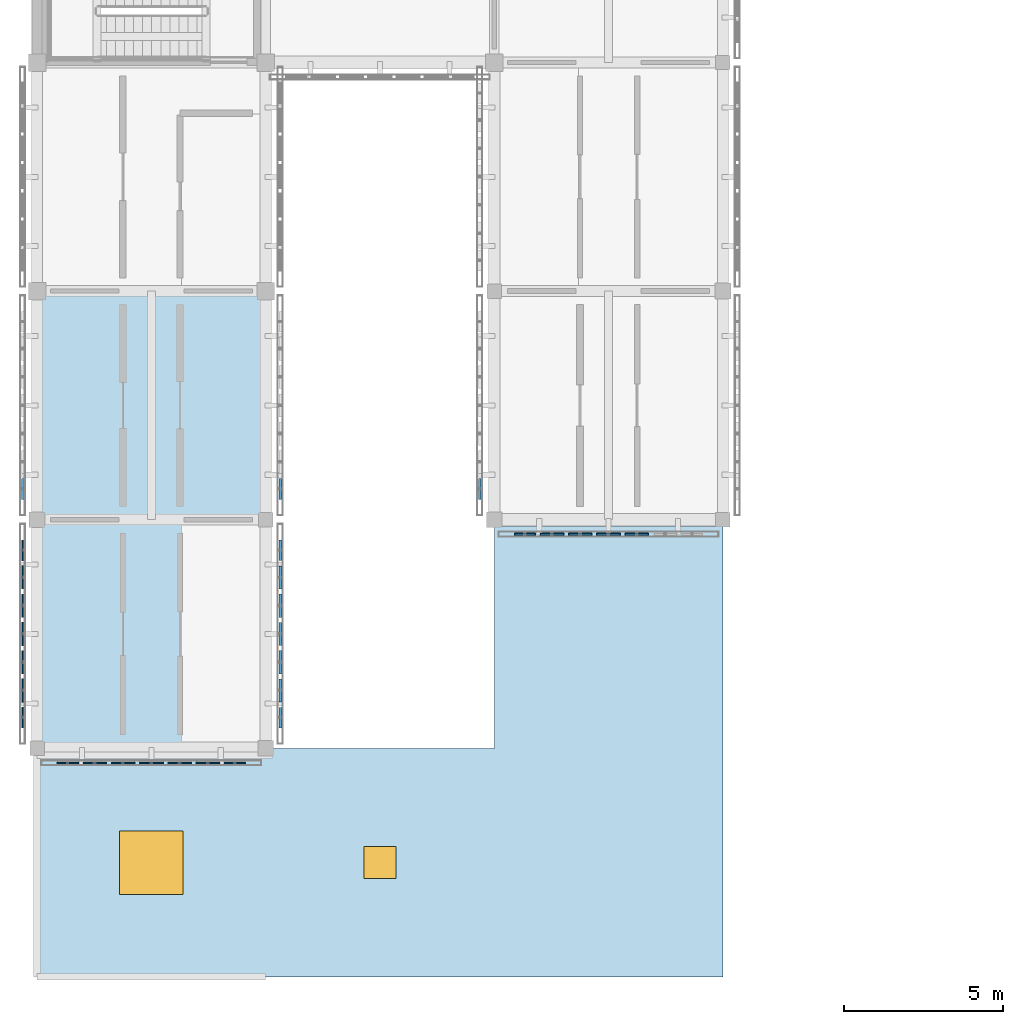
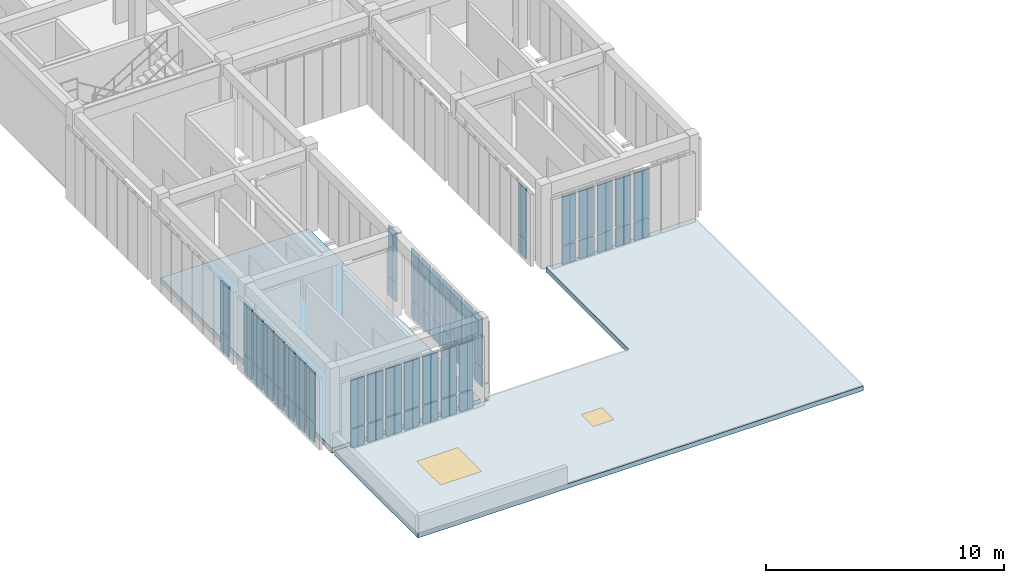
# One storey, part 43 of 91: 58 plates, 2 slabs, 1 door, 1 window, 2 openings, 7 elements without a shape of their own.
"""IFC4 building model written with IfcOpenShell, lengths in metres."""

from ifc_helpers import new_model, si_unit, direction, frame, origin, origin_2d, place, context, subcontext, project, spatial, polyline, rectangle, outline, extrude, material, layer, layer_set, type_object, element, fill, aggregate, save


model = new_model("IFC4")

# Units and contexts
model_context = context("Model", 3, precision=1e-05, world=origin(), true_north=direction((0.0, 1.0)))
body_context = subcontext(model_context, "Body", "Model", "MODEL_VIEW")
ifc_project = project(units=[si_unit("LENGTHUNIT", "METRE"), si_unit("AREAUNIT", "SQUARE_METRE"), si_unit("VOLUMEUNIT", "CUBIC_METRE"), si_unit("PLANEANGLEUNIT", "RADIAN"), si_unit("MASSUNIT", "GRAM", prefix="KILO")], contexts=[model_context])

# Site, building, storey
site_placement = place(None, origin())
site = spatial("IfcSite", under=ifc_project, at=site_placement, CompositionType="ELEMENT")
building_placement = place(site_placement, origin())
building = spatial("IfcBuilding", under=site, at=building_placement, Name="Aldebral Square Health Centre", CompositionType="ELEMENT")
storey_placement = place(building_placement, frame((0.0, 0.0, 9.0)))
storey = spatial("IfcBuildingStorey", under=building, at=storey_placement, Name="L02", CompositionType="ELEMENT", Elevation=9.0)

# Curtain wall, plates
ifc_material_1 = material(Name="Aluminium and low-E solar glass", Category="aluminium")
curtain_wall_type = type_object("IfcCurtainWallType", Name="CW-FIN-SYS", PredefinedType="USERDEFINED", material=ifc_material_1)
curtain_wall_1_placement = place(storey_placement, origin())
curtain_wall_1 = element("IfcCurtainWall", 1, at=curtain_wall_1_placement, inside=storey, type_object=curtain_wall_type, Name="L02 V6 finned curtain wall L02-V6-00-01-S", ObjectType="SOLAR_CURTAIN_WALL", PredefinedType="USERDEFINED")
ifc_material_2 = material(Name="Solar-control low-E double glass", Category="glass")
ifc_layer_1 = layer(ifc_material_2, 0.050048828125, Name="Solar-control low-E double glass", Category="glass")
ifc_layer_set_1 = layer_set([ifc_layer_1], Name="Solar-control low-E double glass")
plate_type_1 = type_object("IfcPlateType", Name="CWP-GLZ-4", PredefinedType="CURTAIN_PANEL", material=ifc_layer_set_1)
plate_1_placement = place(storey_placement, frame((0.9658203125, 6.739990234375, 0.074951171875), z_axis=(0.0, 0.0, 1.0), x_axis=(1.0, 0.0, 0.0)))
plate_1 = element("IfcPlate", 2, at=plate_1_placement, type_object=plate_type_1, Name="CW1 panel 1.1", PredefinedType="CURTAIN_PANEL", context=body_context, shape_type="SweptSolid", body=[
    extrude(rectangle(XDim=0.6513671875, YDim=0.050048828125, at=origin_2d()), origin(), (0.0, 0.0, 1.0), 0.9375),
])
plate_2_placement = place(storey_placement, frame((0.9658203125, 6.739990234375, 1.08740234375), z_axis=(0.0, 0.0, 1.0), x_axis=(1.0, 0.0, 0.0)))
plate_2 = element("IfcPlate", 3, at=plate_2_placement, type_object=plate_type_1, Name="CW1 panel 1.2", PredefinedType="CURTAIN_PANEL", context=body_context, shape_type="SweptSolid", body=[
    extrude(rectangle(XDim=0.6513671875, YDim=0.050048828125, at=origin_2d()), origin(), (0.0, 0.0, 1.0), 2.427490234375),
])
plate_3_placement = place(storey_placement, frame((1.817138671875, 6.739990234375, 0.074951171875), z_axis=(0.0, 0.0, 1.0), x_axis=(1.0, 0.0, 0.0)))
plate_3 = element("IfcPlate", 4, at=plate_3_placement, type_object=plate_type_1, Name="CW1 panel 2.1", PredefinedType="CURTAIN_PANEL", context=body_context, shape_type="SweptSolid", body=[
    extrude(rectangle(XDim=0.7314453125, YDim=0.050048828125, at=origin_2d()), origin(), (0.0, 0.0, 1.0), 0.9375),
])
plate_4_placement = place(storey_placement, frame((1.817138671875, 6.739990234375, 1.08740234375), z_axis=(0.0, 0.0, 1.0), x_axis=(1.0, 0.0, 0.0)))
plate_4 = element("IfcPlate", 5, at=plate_4_placement, type_object=plate_type_1, Name="CW1 panel 2.2", PredefinedType="CURTAIN_PANEL", context=body_context, shape_type="SweptSolid", body=[
    extrude(rectangle(XDim=0.7314453125, YDim=0.050048828125, at=origin_2d()), origin(), (0.0, 0.0, 1.0), 2.427490234375),
])
plate_5_placement = place(storey_placement, frame((2.70849609375, 6.739990234375, 0.074951171875), z_axis=(0.0, 0.0, 1.0), x_axis=(1.0, 0.0, 0.0)))
plate_5 = element("IfcPlate", 6, at=plate_5_placement, type_object=plate_type_1, Name="CW1 panel 3.1", PredefinedType="CURTAIN_PANEL", context=body_context, shape_type="SweptSolid", body=[
    extrude(rectangle(XDim=0.7314453125, YDim=0.050048828125, at=origin_2d()), origin(), (0.0, 0.0, 1.0), 0.9375),
])
plate_6_placement = place(storey_placement, frame((2.70849609375, 6.739990234375, 1.08740234375), z_axis=(0.0, 0.0, 1.0), x_axis=(1.0, 0.0, 0.0)))
plate_6 = element("IfcPlate", 7, at=plate_6_placement, type_object=plate_type_1, Name="CW1 panel 3.2", PredefinedType="CURTAIN_PANEL", context=body_context, shape_type="SweptSolid", body=[
    extrude(rectangle(XDim=0.7314453125, YDim=0.050048828125, at=origin_2d()), origin(), (0.0, 0.0, 1.0), 2.427490234375),
])
plate_7_placement = place(storey_placement, frame((3.60009765625, 6.739990234375, 0.074951171875), z_axis=(0.0, 0.0, 1.0), x_axis=(1.0, 0.0, 0.0)))
plate_7 = element("IfcPlate", 8, at=plate_7_placement, type_object=plate_type_1, Name="CW1 panel 4.1", PredefinedType="CURTAIN_PANEL", context=body_context, shape_type="SweptSolid", body=[
    extrude(rectangle(XDim=0.7314453125, YDim=0.050048828125, at=origin_2d()), origin(), (0.0, 0.0, 1.0), 0.9375),
])
plate_8_placement = place(storey_placement, frame((3.60009765625, 6.739990234375, 1.08740234375), z_axis=(0.0, 0.0, 1.0), x_axis=(1.0, 0.0, 0.0)))
plate_8 = element("IfcPlate", 9, at=plate_8_placement, type_object=plate_type_1, Name="CW1 panel 4.2", PredefinedType="CURTAIN_PANEL", context=body_context, shape_type="SweptSolid", body=[
    extrude(rectangle(XDim=0.7314453125, YDim=0.050048828125, at=origin_2d()), origin(), (0.0, 0.0, 1.0), 2.427490234375),
])
plate_9_placement = place(storey_placement, frame((4.491455078125, 6.739990234375, 0.074951171875), z_axis=(0.0, 0.0, 1.0), x_axis=(1.0, 0.0, 0.0)))
plate_9 = element("IfcPlate", 10, at=plate_9_placement, type_object=plate_type_1, Name="CW1 panel 5.1", PredefinedType="CURTAIN_PANEL", context=body_context, shape_type="SweptSolid", body=[
    extrude(rectangle(XDim=0.7314453125, YDim=0.050048828125, at=origin_2d()), origin(), (0.0, 0.0, 1.0), 0.9375),
])
plate_10_placement = place(storey_placement, frame((4.491455078125, 6.739990234375, 1.08740234375), z_axis=(0.0, 0.0, 1.0), x_axis=(1.0, 0.0, 0.0)))
plate_10 = element("IfcPlate", 11, at=plate_10_placement, type_object=plate_type_1, Name="CW1 panel 5.2", PredefinedType="CURTAIN_PANEL", context=body_context, shape_type="SweptSolid", body=[
    extrude(rectangle(XDim=0.7314453125, YDim=0.050048828125, at=origin_2d()), origin(), (0.0, 0.0, 1.0), 2.427490234375),
])
plate_11_placement = place(storey_placement, frame((5.3828125, 6.739990234375, 0.074951171875), z_axis=(0.0, 0.0, 1.0), x_axis=(1.0, 0.0, 0.0)))
plate_11 = element("IfcPlate", 12, at=plate_11_placement, type_object=plate_type_1, Name="CW1 panel 6.1", PredefinedType="CURTAIN_PANEL", context=body_context, shape_type="SweptSolid", body=[
    extrude(rectangle(XDim=0.7314453125, YDim=0.050048828125, at=origin_2d()), origin(), (0.0, 0.0, 1.0), 0.9375),
])
plate_12_placement = place(storey_placement, frame((5.3828125, 6.739990234375, 1.08740234375), z_axis=(0.0, 0.0, 1.0), x_axis=(1.0, 0.0, 0.0)))
plate_12 = element("IfcPlate", 13, at=plate_12_placement, type_object=plate_type_1, Name="CW1 panel 6.2", PredefinedType="CURTAIN_PANEL", context=body_context, shape_type="SweptSolid", body=[
    extrude(rectangle(XDim=0.7314453125, YDim=0.050048828125, at=origin_2d()), origin(), (0.0, 0.0, 1.0), 2.427490234375),
])
plate_13_placement = place(storey_placement, frame((6.234375, 6.739990234375, 0.074951171875), z_axis=(0.0, 0.0, 1.0), x_axis=(1.0, 0.0, 0.0)))
plate_13 = element("IfcPlate", 14, at=plate_13_placement, type_object=plate_type_1, Name="CW1 panel 7.1", PredefinedType="CURTAIN_PANEL", context=body_context, shape_type="SweptSolid", body=[
    extrude(rectangle(XDim=0.6513671875, YDim=0.050048828125, at=origin_2d()), origin(), (0.0, 0.0, 1.0), 0.9375),
])
plate_14_placement = place(storey_placement, frame((6.234375, 6.739990234375, 1.08740234375), z_axis=(0.0, 0.0, 1.0), x_axis=(1.0, 0.0, 0.0)))
plate_14 = element("IfcPlate", 15, at=plate_14_placement, type_object=plate_type_1, Name="CW1 panel 7.2", PredefinedType="CURTAIN_PANEL", context=body_context, shape_type="SweptSolid", body=[
    extrude(rectangle(XDim=0.6513671875, YDim=0.050048828125, at=origin_2d()), origin(), (0.0, 0.0, 1.0), 2.427490234375),
])
aggregate(curtain_wall_1, [plate_1, plate_2, plate_3, plate_4, plate_5, plate_6, plate_7, plate_8, plate_9, plate_10, plate_11, plate_12, plate_13, plate_14])

curtain_wall_2_placement = place(storey_placement, origin())
curtain_wall_2 = element("IfcCurtainWall", 16, at=curtain_wall_2_placement, inside=storey, type_object=curtain_wall_type, Name="L02 V6 finned curtain wall L02-V6-00-01-W", ObjectType="SOLAR_CURTAIN_WALL", PredefinedType="USERDEFINED")
ifc_layer_2 = layer(ifc_material_2, 0.06005859375, Name="Solar-control low-E double glass", Category="glass")
ifc_layer_set_2 = layer_set([ifc_layer_2], Name="Solar-control low-E double glass")
plate_type_2 = type_object("IfcPlateType", Name="CWP-GLZ-5", PredefinedType="CURTAIN_PANEL", material=ifc_layer_set_2)
plate_15_placement = place(storey_placement, frame((-0.4599609375, 13.434326171875, 0.074951171875), z_axis=(0.0, 0.0, 1.0), x_axis=(0.0, -1.0, 0.0)))
plate_15 = element("IfcPlate", 17, at=plate_15_placement, type_object=plate_type_2, Name="CW1 panel 1.1", PredefinedType="CURTAIN_PANEL", context=body_context, shape_type="SweptSolid", body=[
    extrude(rectangle(XDim=0.6513671875, YDim=0.06005859375, at=origin_2d()), origin(), (0.0, 0.0, 1.0), 0.9375),
])
plate_16_placement = place(storey_placement, frame((-0.4599609375, 13.434326171875, 1.08740234375), z_axis=(0.0, 0.0, 1.0), x_axis=(0.0, -1.0, 0.0)))
plate_16 = element("IfcPlate", 18, at=plate_16_placement, type_object=plate_type_2, Name="CW1 panel 1.2", PredefinedType="CURTAIN_PANEL", context=body_context, shape_type="SweptSolid", body=[
    extrude(rectangle(XDim=0.6513671875, YDim=0.06005859375, at=origin_2d()), origin(), (0.0, 0.0, 1.0), 2.527587890625),
])
plate_17_placement = place(storey_placement, frame((-0.4599609375, 12.582763671875, 0.074951171875), z_axis=(0.0, 0.0, 1.0), x_axis=(0.0, -1.0, 0.0)))
plate_17 = element("IfcPlate", 19, at=plate_17_placement, type_object=plate_type_2, Name="CW1 panel 2.1", PredefinedType="CURTAIN_PANEL", context=body_context, shape_type="SweptSolid", body=[
    extrude(rectangle(XDim=0.7314453125, YDim=0.06005859375, at=origin_2d()), origin(), (0.0, 0.0, 1.0), 0.9375),
])
plate_18_placement = place(storey_placement, frame((-0.4599609375, 12.582763671875, 1.08740234375), z_axis=(0.0, 0.0, 1.0), x_axis=(0.0, -1.0, 0.0)))
plate_18 = element("IfcPlate", 20, at=plate_18_placement, type_object=plate_type_2, Name="CW1 panel 2.2", PredefinedType="CURTAIN_PANEL", context=body_context, shape_type="SweptSolid", body=[
    extrude(rectangle(XDim=0.7314453125, YDim=0.06005859375, at=origin_2d()), origin(), (0.0, 0.0, 1.0), 2.527587890625),
])
plate_19_placement = place(storey_placement, frame((-0.4599609375, 11.69140625, 0.074951171875), z_axis=(0.0, 0.0, 1.0), x_axis=(0.0, -1.0, 0.0)))
plate_19 = element("IfcPlate", 21, at=plate_19_placement, type_object=plate_type_2, Name="CW1 panel 3.1", PredefinedType="CURTAIN_PANEL", context=body_context, shape_type="SweptSolid", body=[
    extrude(rectangle(XDim=0.7314453125, YDim=0.06005859375, at=origin_2d()), origin(), (0.0, 0.0, 1.0), 0.9375),
])
plate_20_placement = place(storey_placement, frame((-0.4599609375, 11.69140625, 1.08740234375), z_axis=(0.0, 0.0, 1.0), x_axis=(0.0, -1.0, 0.0)))
plate_20 = element("IfcPlate", 22, at=plate_20_placement, type_object=plate_type_2, Name="CW1 panel 3.2", PredefinedType="CURTAIN_PANEL", context=body_context, shape_type="SweptSolid", body=[
    extrude(rectangle(XDim=0.7314453125, YDim=0.06005859375, at=origin_2d()), origin(), (0.0, 0.0, 1.0), 2.527587890625),
])
plate_21_placement = place(storey_placement, frame((-0.4599609375, 10.800048828125, 0.074951171875), z_axis=(0.0, 0.0, 1.0), x_axis=(0.0, -1.0, 0.0)))
plate_21 = element("IfcPlate", 23, at=plate_21_placement, type_object=plate_type_2, Name="CW1 panel 4.1", PredefinedType="CURTAIN_PANEL", context=body_context, shape_type="SweptSolid", body=[
    extrude(rectangle(XDim=0.7314453125, YDim=0.06005859375, at=origin_2d()), origin(), (0.0, 0.0, 1.0), 0.9375),
])
plate_22_placement = place(storey_placement, frame((-0.4599609375, 10.800048828125, 1.08740234375), z_axis=(0.0, 0.0, 1.0), x_axis=(0.0, -1.0, 0.0)))
plate_22 = element("IfcPlate", 24, at=plate_22_placement, type_object=plate_type_2, Name="CW1 panel 4.2", PredefinedType="CURTAIN_PANEL", context=body_context, shape_type="SweptSolid", body=[
    extrude(rectangle(XDim=0.7314453125, YDim=0.06005859375, at=origin_2d()), origin(), (0.0, 0.0, 1.0), 2.527587890625),
])
plate_23_placement = place(storey_placement, frame((-0.4599609375, 9.90869140625, 0.074951171875), z_axis=(0.0, 0.0, 1.0), x_axis=(0.0, -1.0, 0.0)))
plate_23 = element("IfcPlate", 25, at=plate_23_placement, type_object=plate_type_2, Name="CW1 panel 5.1", PredefinedType="CURTAIN_PANEL", context=body_context, shape_type="SweptSolid", body=[
    extrude(rectangle(XDim=0.7314453125, YDim=0.06005859375, at=origin_2d()), origin(), (0.0, 0.0, 1.0), 0.9375),
])
plate_24_placement = place(storey_placement, frame((-0.4599609375, 9.90869140625, 1.08740234375), z_axis=(0.0, 0.0, 1.0), x_axis=(0.0, -1.0, 0.0)))
plate_24 = element("IfcPlate", 26, at=plate_24_placement, type_object=plate_type_2, Name="CW1 panel 5.2", PredefinedType="CURTAIN_PANEL", context=body_context, shape_type="SweptSolid", body=[
    extrude(rectangle(XDim=0.7314453125, YDim=0.06005859375, at=origin_2d()), origin(), (0.0, 0.0, 1.0), 2.527587890625),
])
plate_25_placement = place(storey_placement, frame((-0.4599609375, 9.01708984375, 0.074951171875), z_axis=(0.0, 0.0, 1.0), x_axis=(0.0, -1.0, 0.0)))
plate_25 = element("IfcPlate", 27, at=plate_25_placement, type_object=plate_type_2, Name="CW1 panel 6.1", PredefinedType="CURTAIN_PANEL", context=body_context, shape_type="SweptSolid", body=[
    extrude(rectangle(XDim=0.7314453125, YDim=0.06005859375, at=origin_2d()), origin(), (0.0, 0.0, 1.0), 0.9375),
])
plate_26_placement = place(storey_placement, frame((-0.4599609375, 9.01708984375, 1.08740234375), z_axis=(0.0, 0.0, 1.0), x_axis=(0.0, -1.0, 0.0)))
plate_26 = element("IfcPlate", 28, at=plate_26_placement, type_object=plate_type_2, Name="CW1 panel 6.2", PredefinedType="CURTAIN_PANEL", context=body_context, shape_type="SweptSolid", body=[
    extrude(rectangle(XDim=0.7314453125, YDim=0.06005859375, at=origin_2d()), origin(), (0.0, 0.0, 1.0), 2.527587890625),
])
plate_27_placement = place(storey_placement, frame((-0.4599609375, 8.165771484375, 0.074951171875), z_axis=(0.0, 0.0, 1.0), x_axis=(0.0, -1.0, 0.0)))
plate_27 = element("IfcPlate", 29, at=plate_27_placement, type_object=plate_type_2, Name="CW1 panel 7.1", PredefinedType="CURTAIN_PANEL", context=body_context, shape_type="SweptSolid", body=[
    extrude(rectangle(XDim=0.6513671875, YDim=0.06005859375, at=origin_2d()), origin(), (0.0, 0.0, 1.0), 0.9375),
])
plate_28_placement = place(storey_placement, frame((-0.4599609375, 8.165771484375, 1.08740234375), z_axis=(0.0, 0.0, 1.0), x_axis=(0.0, -1.0, 0.0)))
plate_28 = element("IfcPlate", 30, at=plate_28_placement, type_object=plate_type_2, Name="CW1 panel 7.2", PredefinedType="CURTAIN_PANEL", context=body_context, shape_type="SweptSolid", body=[
    extrude(rectangle(XDim=0.6513671875, YDim=0.06005859375, at=origin_2d()), origin(), (0.0, 0.0, 1.0), 2.527587890625),
])
aggregate(curtain_wall_2, [plate_15, plate_16, plate_17, plate_18, plate_19, plate_20, plate_21, plate_22, plate_23, plate_24, plate_25, plate_26, plate_27, plate_28])

curtain_wall_3_placement = place(storey_placement, origin())
curtain_wall_3 = element("IfcCurtainWall", 31, at=curtain_wall_3_placement, inside=storey, type_object=curtain_wall_type, Name="L02 V6 finned curtain wall L02-V6-02-02-S", ObjectType="SOLAR_CURTAIN_WALL", PredefinedType="USERDEFINED")
plate_29_placement = place(storey_placement, frame((15.36572265625, 13.93994140625, 0.074951171875), z_axis=(0.0, 0.0, 1.0), x_axis=(1.0, 0.0, 0.0)))
plate_29 = element("IfcPlate", 32, at=plate_29_placement, type_object=plate_type_2, Name="CW1 panel 1.1", PredefinedType="CURTAIN_PANEL", context=body_context, shape_type="SweptSolid", body=[
    extrude(rectangle(XDim=0.6513671875, YDim=0.06005859375, at=origin_2d()), origin(), (0.0, 0.0, 1.0), 0.9375),
])
plate_30_placement = place(storey_placement, frame((15.36572265625, 13.93994140625, 1.08740234375), z_axis=(0.0, 0.0, 1.0), x_axis=(1.0, 0.0, 0.0)))
plate_30 = element("IfcPlate", 33, at=plate_30_placement, type_object=plate_type_2, Name="CW1 panel 1.2", PredefinedType="CURTAIN_PANEL", context=body_context, shape_type="SweptSolid", body=[
    extrude(rectangle(XDim=0.6513671875, YDim=0.06005859375, at=origin_2d()), origin(), (0.0, 0.0, 1.0), 2.427490234375),
])
plate_31_placement = place(storey_placement, frame((16.217041015625, 13.93994140625, 0.074951171875), z_axis=(0.0, 0.0, 1.0), x_axis=(1.0, 0.0, 0.0)))
plate_31 = element("IfcPlate", 34, at=plate_31_placement, type_object=plate_type_2, Name="CW1 panel 2.1", PredefinedType="CURTAIN_PANEL", context=body_context, shape_type="SweptSolid", body=[
    extrude(rectangle(XDim=0.7314453125, YDim=0.06005859375, at=origin_2d()), origin(), (0.0, 0.0, 1.0), 0.9375),
])
plate_32_placement = place(storey_placement, frame((16.217041015625, 13.93994140625, 1.08740234375), z_axis=(0.0, 0.0, 1.0), x_axis=(1.0, 0.0, 0.0)))
plate_32 = element("IfcPlate", 35, at=plate_32_placement, type_object=plate_type_2, Name="CW1 panel 2.2", PredefinedType="CURTAIN_PANEL", context=body_context, shape_type="SweptSolid", body=[
    extrude(rectangle(XDim=0.7314453125, YDim=0.06005859375, at=origin_2d()), origin(), (0.0, 0.0, 1.0), 2.427490234375),
])
plate_33_placement = place(storey_placement, frame((17.108642578125, 13.93994140625, 0.074951171875), z_axis=(0.0, 0.0, 1.0), x_axis=(1.0, 0.0, 0.0)))
plate_33 = element("IfcPlate", 36, at=plate_33_placement, type_object=plate_type_2, Name="CW1 panel 3.1", PredefinedType="CURTAIN_PANEL", context=body_context, shape_type="SweptSolid", body=[
    extrude(rectangle(XDim=0.7314453125, YDim=0.06005859375, at=origin_2d()), origin(), (0.0, 0.0, 1.0), 0.9375),
])
plate_34_placement = place(storey_placement, frame((17.108642578125, 13.93994140625, 1.08740234375), z_axis=(0.0, 0.0, 1.0), x_axis=(1.0, 0.0, 0.0)))
plate_34 = element("IfcPlate", 37, at=plate_34_placement, type_object=plate_type_2, Name="CW1 panel 3.2", PredefinedType="CURTAIN_PANEL", context=body_context, shape_type="SweptSolid", body=[
    extrude(rectangle(XDim=0.7314453125, YDim=0.06005859375, at=origin_2d()), origin(), (0.0, 0.0, 1.0), 2.427490234375),
])
plate_35_placement = place(storey_placement, frame((18.0, 13.93994140625, 0.074951171875), z_axis=(0.0, 0.0, 1.0), x_axis=(1.0, 0.0, 0.0)))
plate_35 = element("IfcPlate", 38, at=plate_35_placement, type_object=plate_type_2, Name="CW1 panel 4.1", PredefinedType="CURTAIN_PANEL", context=body_context, shape_type="SweptSolid", body=[
    extrude(rectangle(XDim=0.7314453125, YDim=0.06005859375, at=origin_2d()), origin(), (0.0, 0.0, 1.0), 0.9375),
])
plate_36_placement = place(storey_placement, frame((18.0, 13.93994140625, 1.08740234375), z_axis=(0.0, 0.0, 1.0), x_axis=(1.0, 0.0, 0.0)))
plate_36 = element("IfcPlate", 39, at=plate_36_placement, type_object=plate_type_2, Name="CW1 panel 4.2", PredefinedType="CURTAIN_PANEL", context=body_context, shape_type="SweptSolid", body=[
    extrude(rectangle(XDim=0.7314453125, YDim=0.06005859375, at=origin_2d()), origin(), (0.0, 0.0, 1.0), 2.427490234375),
])
plate_37_placement = place(storey_placement, frame((18.891357421875, 13.93994140625, 0.074951171875), z_axis=(0.0, 0.0, 1.0), x_axis=(1.0, 0.0, 0.0)))
plate_37 = element("IfcPlate", 40, at=plate_37_placement, type_object=plate_type_2, Name="CW1 panel 5.1", PredefinedType="CURTAIN_PANEL", context=body_context, shape_type="SweptSolid", body=[
    extrude(rectangle(XDim=0.7314453125, YDim=0.06005859375, at=origin_2d()), origin(), (0.0, 0.0, 1.0), 0.9375),
])
plate_38_placement = place(storey_placement, frame((18.891357421875, 13.93994140625, 1.08740234375), z_axis=(0.0, 0.0, 1.0), x_axis=(1.0, 0.0, 0.0)))
plate_38 = element("IfcPlate", 41, at=plate_38_placement, type_object=plate_type_2, Name="CW1 panel 5.2", PredefinedType="CURTAIN_PANEL", context=body_context, shape_type="SweptSolid", body=[
    extrude(rectangle(XDim=0.7314453125, YDim=0.06005859375, at=origin_2d()), origin(), (0.0, 0.0, 1.0), 2.427490234375),
])
aggregate(curtain_wall_3, [plate_29, plate_30, plate_31, plate_32, plate_33, plate_34, plate_35, plate_36, plate_37, plate_38])

curtain_wall_4_placement = place(storey_placement, origin())
curtain_wall_4 = element("IfcCurtainWall", 42, at=curtain_wall_4_placement, inside=storey, type_object=curtain_wall_type, Name="L02 V6 finned curtain wall L02-V6-00-01-E", ObjectType="SOLAR_CURTAIN_WALL", PredefinedType="USERDEFINED")
ifc_layer_3 = layer(ifc_material_2, 0.070068359375, Name="Solar-control low-E double glass", Category="glass")
ifc_layer_set_3 = layer_set([ifc_layer_3], Name="Solar-control low-E double glass")
plate_type_3 = type_object("IfcPlateType", Name="CWP-GLZ-6", PredefinedType="CURTAIN_PANEL", material=ifc_layer_set_3)
plate_39_placement = place(storey_placement, frame((7.659912109375, 8.165771484375, 0.074951171875), z_axis=(0.0, 0.0, 1.0), x_axis=(0.0, 1.0, 0.0)))
plate_39 = element("IfcPlate", 43, at=plate_39_placement, type_object=plate_type_3, Name="CW1 panel 1.1", PredefinedType="CURTAIN_PANEL", context=body_context, shape_type="SweptSolid", body=[
    extrude(rectangle(XDim=0.6513671875, YDim=0.070068359375, at=origin_2d()), origin(), (0.0, 0.0, 1.0), 0.9375),
])
plate_40_placement = place(storey_placement, frame((7.659912109375, 8.165771484375, 1.08740234375), z_axis=(0.0, 0.0, 1.0), x_axis=(0.0, 1.0, 0.0)))
plate_40 = element("IfcPlate", 44, at=plate_40_placement, type_object=plate_type_3, Name="CW1 panel 1.2", PredefinedType="CURTAIN_PANEL", context=body_context, shape_type="SweptSolid", body=[
    extrude(rectangle(XDim=0.6513671875, YDim=0.070068359375, at=origin_2d()), origin(), (0.0, 0.0, 1.0), 2.527587890625),
])
plate_41_placement = place(storey_placement, frame((7.659912109375, 9.01708984375, 0.074951171875), z_axis=(0.0, 0.0, 1.0), x_axis=(0.0, 1.0, 0.0)))
plate_41 = element("IfcPlate", 45, at=plate_41_placement, type_object=plate_type_3, Name="CW1 panel 2.1", PredefinedType="CURTAIN_PANEL", context=body_context, shape_type="SweptSolid", body=[
    extrude(rectangle(XDim=0.7314453125, YDim=0.070068359375, at=origin_2d()), origin(), (0.0, 0.0, 1.0), 0.9375),
])
plate_42_placement = place(storey_placement, frame((7.659912109375, 9.01708984375, 1.08740234375), z_axis=(0.0, 0.0, 1.0), x_axis=(0.0, 1.0, 0.0)))
plate_42 = element("IfcPlate", 46, at=plate_42_placement, type_object=plate_type_3, Name="CW1 panel 2.2", PredefinedType="CURTAIN_PANEL", context=body_context, shape_type="SweptSolid", body=[
    extrude(rectangle(XDim=0.7314453125, YDim=0.070068359375, at=origin_2d()), origin(), (0.0, 0.0, 1.0), 2.527587890625),
])
plate_43_placement = place(storey_placement, frame((7.659912109375, 9.90869140625, 0.074951171875), z_axis=(0.0, 0.0, 1.0), x_axis=(0.0, 1.0, 0.0)))
plate_43 = element("IfcPlate", 47, at=plate_43_placement, type_object=plate_type_3, Name="CW1 panel 3.1", PredefinedType="CURTAIN_PANEL", context=body_context, shape_type="SweptSolid", body=[
    extrude(rectangle(XDim=0.7314453125, YDim=0.070068359375, at=origin_2d()), origin(), (0.0, 0.0, 1.0), 0.9375),
])
plate_44_placement = place(storey_placement, frame((7.659912109375, 9.90869140625, 1.08740234375), z_axis=(0.0, 0.0, 1.0), x_axis=(0.0, 1.0, 0.0)))
plate_44 = element("IfcPlate", 48, at=plate_44_placement, type_object=plate_type_3, Name="CW1 panel 3.2", PredefinedType="CURTAIN_PANEL", context=body_context, shape_type="SweptSolid", body=[
    extrude(rectangle(XDim=0.7314453125, YDim=0.070068359375, at=origin_2d()), origin(), (0.0, 0.0, 1.0), 2.527587890625),
])
plate_45_placement = place(storey_placement, frame((7.659912109375, 10.800048828125, 0.074951171875), z_axis=(0.0, 0.0, 1.0), x_axis=(0.0, 1.0, 0.0)))
plate_45 = element("IfcPlate", 49, at=plate_45_placement, type_object=plate_type_3, Name="CW1 panel 4.1", PredefinedType="CURTAIN_PANEL", context=body_context, shape_type="SweptSolid", body=[
    extrude(rectangle(XDim=0.7314453125, YDim=0.070068359375, at=origin_2d()), origin(), (0.0, 0.0, 1.0), 0.9375),
])
plate_46_placement = place(storey_placement, frame((7.659912109375, 10.800048828125, 1.08740234375), z_axis=(0.0, 0.0, 1.0), x_axis=(0.0, 1.0, 0.0)))
plate_46 = element("IfcPlate", 50, at=plate_46_placement, type_object=plate_type_3, Name="CW1 panel 4.2", PredefinedType="CURTAIN_PANEL", context=body_context, shape_type="SweptSolid", body=[
    extrude(rectangle(XDim=0.7314453125, YDim=0.070068359375, at=origin_2d()), origin(), (0.0, 0.0, 1.0), 2.527587890625),
])
plate_47_placement = place(storey_placement, frame((7.659912109375, 11.69140625, 0.074951171875), z_axis=(0.0, 0.0, 1.0), x_axis=(0.0, 1.0, 0.0)))
plate_47 = element("IfcPlate", 51, at=plate_47_placement, type_object=plate_type_3, Name="CW1 panel 5.1", PredefinedType="CURTAIN_PANEL", context=body_context, shape_type="SweptSolid", body=[
    extrude(rectangle(XDim=0.7314453125, YDim=0.070068359375, at=origin_2d()), origin(), (0.0, 0.0, 1.0), 0.9375),
])
plate_48_placement = place(storey_placement, frame((7.659912109375, 11.69140625, 1.08740234375), z_axis=(0.0, 0.0, 1.0), x_axis=(0.0, 1.0, 0.0)))
plate_48 = element("IfcPlate", 52, at=plate_48_placement, type_object=plate_type_3, Name="CW1 panel 5.2", PredefinedType="CURTAIN_PANEL", context=body_context, shape_type="SweptSolid", body=[
    extrude(rectangle(XDim=0.7314453125, YDim=0.070068359375, at=origin_2d()), origin(), (0.0, 0.0, 1.0), 2.527587890625),
])
plate_49_placement = place(storey_placement, frame((7.659912109375, 12.582763671875, 0.074951171875), z_axis=(0.0, 0.0, 1.0), x_axis=(0.0, 1.0, 0.0)))
plate_49 = element("IfcPlate", 53, at=plate_49_placement, type_object=plate_type_3, Name="CW1 panel 6.1", PredefinedType="CURTAIN_PANEL", context=body_context, shape_type="SweptSolid", body=[
    extrude(rectangle(XDim=0.7314453125, YDim=0.070068359375, at=origin_2d()), origin(), (0.0, 0.0, 1.0), 0.9375),
])
plate_50_placement = place(storey_placement, frame((7.659912109375, 12.582763671875, 1.08740234375), z_axis=(0.0, 0.0, 1.0), x_axis=(0.0, 1.0, 0.0)))
plate_50 = element("IfcPlate", 54, at=plate_50_placement, type_object=plate_type_3, Name="CW1 panel 6.2", PredefinedType="CURTAIN_PANEL", context=body_context, shape_type="SweptSolid", body=[
    extrude(rectangle(XDim=0.7314453125, YDim=0.070068359375, at=origin_2d()), origin(), (0.0, 0.0, 1.0), 2.527587890625),
])
plate_51_placement = place(storey_placement, frame((7.659912109375, 13.434326171875, 0.074951171875), z_axis=(0.0, 0.0, 1.0), x_axis=(0.0, 1.0, 0.0)))
plate_51 = element("IfcPlate", 55, at=plate_51_placement, type_object=plate_type_3, Name="CW1 panel 7.1", PredefinedType="CURTAIN_PANEL", context=body_context, shape_type="SweptSolid", body=[
    extrude(rectangle(XDim=0.6513671875, YDim=0.070068359375, at=origin_2d()), origin(), (0.0, 0.0, 1.0), 0.9375),
])
plate_52_placement = place(storey_placement, frame((7.659912109375, 13.434326171875, 1.08740234375), z_axis=(0.0, 0.0, 1.0), x_axis=(0.0, 1.0, 0.0)))
plate_52 = element("IfcPlate", 56, at=plate_52_placement, type_object=plate_type_3, Name="CW1 panel 7.2", PredefinedType="CURTAIN_PANEL", context=body_context, shape_type="SweptSolid", body=[
    extrude(rectangle(XDim=0.6513671875, YDim=0.070068359375, at=origin_2d()), origin(), (0.0, 0.0, 1.0), 2.527587890625),
])
aggregate(curtain_wall_4, [plate_39, plate_40, plate_41, plate_42, plate_43, plate_44, plate_45, plate_46, plate_47, plate_48, plate_49, plate_50, plate_51, plate_52])

curtain_wall_5_placement = place(storey_placement, origin())
curtain_wall_5 = element("IfcCurtainWall", 57, at=curtain_wall_5_placement, inside=storey, type_object=curtain_wall_type, Name="L02 V6 finned curtain wall L02-V6-02-02-W", ObjectType="SOLAR_CURTAIN_WALL", PredefinedType="USERDEFINED")
plate_53_placement = place(storey_placement, frame((13.93994140625, 15.36572265625, 0.074951171875), z_axis=(0.0, 0.0, 1.0), x_axis=(0.0, -1.0, 0.0)))
plate_53 = element("IfcPlate", 58, at=plate_53_placement, type_object=plate_type_3, Name="CW1 panel 7.1", PredefinedType="CURTAIN_PANEL", context=body_context, shape_type="SweptSolid", body=[
    extrude(rectangle(XDim=0.6513671875, YDim=0.070068359375, at=origin_2d()), origin(), (0.0, 0.0, 1.0), 0.9375),
])
plate_54_placement = place(storey_placement, frame((13.93994140625, 15.36572265625, 1.08740234375), z_axis=(0.0, 0.0, 1.0), x_axis=(0.0, -1.0, 0.0)))
plate_54 = element("IfcPlate", 59, at=plate_54_placement, type_object=plate_type_3, Name="CW1 panel 7.2", PredefinedType="CURTAIN_PANEL", context=body_context, shape_type="SweptSolid", body=[
    extrude(rectangle(XDim=0.6513671875, YDim=0.070068359375, at=origin_2d()), origin(), (0.0, 0.0, 1.0), 2.527587890625),
])
aggregate(curtain_wall_5, [plate_53, plate_54])

curtain_wall_6_placement = place(storey_placement, origin())
curtain_wall_6 = element("IfcCurtainWall", 60, at=curtain_wall_6_placement, inside=storey, type_object=curtain_wall_type, Name="L02 V6 finned curtain wall L02-V6-00-02-W", ObjectType="SOLAR_CURTAIN_WALL", PredefinedType="USERDEFINED")
ifc_layer_4 = layer(ifc_material_2, 0.080078125, Name="Solar-control low-E double glass", Category="glass")
ifc_layer_set_4 = layer_set([ifc_layer_4], Name="Solar-control low-E double glass")
plate_type_4 = type_object("IfcPlateType", Name="CWP-GLZ-7", PredefinedType="CURTAIN_PANEL", material=ifc_layer_set_4)
plate_55_placement = place(storey_placement, frame((-0.4599609375, 15.36572265625, 0.074951171875), z_axis=(0.0, 0.0, 1.0), x_axis=(0.0, -1.0, 0.0)))
plate_55 = element("IfcPlate", 61, at=plate_55_placement, type_object=plate_type_4, Name="CW1 panel 7.1", PredefinedType="CURTAIN_PANEL", context=body_context, shape_type="SweptSolid", body=[
    extrude(rectangle(XDim=0.6513671875, YDim=0.080078125, at=origin_2d()), origin(), (0.0, 0.0, 1.0), 0.9375),
])
plate_56_placement = place(storey_placement, frame((-0.4599609375, 15.36572265625, 1.08740234375), z_axis=(0.0, 0.0, 1.0), x_axis=(0.0, -1.0, 0.0)))
plate_56 = element("IfcPlate", 62, at=plate_56_placement, type_object=plate_type_4, Name="CW1 panel 7.2", PredefinedType="CURTAIN_PANEL", context=body_context, shape_type="SweptSolid", body=[
    extrude(rectangle(XDim=0.6513671875, YDim=0.080078125, at=origin_2d()), origin(), (0.0, 0.0, 1.0), 2.527587890625),
])
aggregate(curtain_wall_6, [plate_55, plate_56])

curtain_wall_7_placement = place(storey_placement, origin())
curtain_wall_7 = element("IfcCurtainWall", 63, at=curtain_wall_7_placement, inside=storey, type_object=curtain_wall_type, Name="L02 V6 finned curtain wall L02-V6-00-02-E", ObjectType="SOLAR_CURTAIN_WALL", PredefinedType="USERDEFINED")
ifc_layer_5 = layer(ifc_material_2, 0.090087890625, Name="Solar-control low-E double glass", Category="glass")
ifc_layer_set_5 = layer_set([ifc_layer_5], Name="Solar-control low-E double glass")
plate_type_5 = type_object("IfcPlateType", Name="CWP-GLZ-8", PredefinedType="CURTAIN_PANEL", material=ifc_layer_set_5)
plate_57_placement = place(storey_placement, frame((7.659912109375, 15.36572265625, 0.074951171875), z_axis=(0.0, 0.0, 1.0), x_axis=(0.0, 1.0, 0.0)))
plate_57 = element("IfcPlate", 64, at=plate_57_placement, type_object=plate_type_5, Name="CW1 panel 1.1", PredefinedType="CURTAIN_PANEL", context=body_context, shape_type="SweptSolid", body=[
    extrude(rectangle(XDim=0.6513671875, YDim=0.090087890625, at=origin_2d()), origin(), (0.0, 0.0, 1.0), 0.9375),
])
plate_58_placement = place(storey_placement, frame((7.659912109375, 15.36572265625, 1.08740234375), z_axis=(0.0, 0.0, 1.0), x_axis=(0.0, 1.0, 0.0)))
plate_58 = element("IfcPlate", 65, at=plate_58_placement, type_object=plate_type_5, Name="CW1 panel 1.2", PredefinedType="CURTAIN_PANEL", context=body_context, shape_type="SweptSolid", body=[
    extrude(rectangle(XDim=0.6513671875, YDim=0.090087890625, at=origin_2d()), origin(), (0.0, 0.0, 1.0), 2.527587890625),
])
aggregate(curtain_wall_7, [plate_57, plate_58])

# Slab
ifc_material_3 = material(Name="Concrete C35/45", Category="concrete")
ifc_layer_6 = layer(ifc_material_3, 0.260009765625, Name="Concrete C35/45", Category="concrete")
ifc_layer_set_6 = layer_set([ifc_layer_6], Name="Concrete C35/45")
slab_type_1 = type_object("IfcSlabType", Name="SL-FLR-260", PredefinedType="FLOOR", material=ifc_layer_set_6)
slab_1_placement = place(storey_placement, frame((0.0, 0.0, -0.260009765625)))
element("IfcSlab", 66, at=slab_1_placement, inside=storey, type_object=slab_type_1, Name="L02 V6 floor slab 1", PredefinedType="FLOOR", context=body_context, shape_type="SweptSolid", body=[
    extrude(outline(polyline([(0.0, 7.199951171875), (0.0, 14.39990234375), (0.0, 21.60009765625), (7.199951171875, 21.60009765625), (7.199951171875, 14.39990234375), (7.199951171875, 7.199951171875), (0.0, 7.199951171875)])), origin(), (0.0, 0.0, 1.0), 0.260009765625),
])

# Slab, openings, door, window
ifc_layer_7 = layer(ifc_material_3, 0.239990234375, Name="Concrete C35/45", Category="concrete")
ifc_layer_set_7 = layer_set([ifc_layer_7], Name="Concrete C35/45")
slab_type_2 = type_object("IfcSlabType", Name="SL-RF-240", PredefinedType="ROOF", material=ifc_layer_set_7)
slab_2_placement = place(storey_placement, frame((0.0, 0.0, -0.239990234375)))
slab_2 = element("IfcSlab", 67, at=slab_2_placement, inside=storey, type_object=slab_type_2, Name="L01 V6 roof slab 1", PredefinedType="ROOF", context=body_context, shape_type="SweptSolid", body=[
    extrude(outline(polyline([(14.39990234375, 7.199951171875), (14.39990234375, 14.179931640625), (21.60009765625, 14.179931640625), (21.60009765625, 7.199951171875), (21.60009765625, 0.0), (14.39990234375, 0.0), (7.199951171875, 0.0), (0.0, 0.0), (0.0, 6.97998046875), (7.419921875, 6.97998046875), (7.419921875, 7.199951171875), (14.39990234375, 7.199951171875)])), origin(), (0.0, 0.0, 1.0), 0.239990234375),
])
opening_1_placement = place(slab_2_placement, frame((3.60009765625, 3.60009765625, -0.010009765625)))
opening_1 = element("IfcOpeningElement", 68, at=opening_1_placement, cuts=slab_2, Name="Opening SK02", PredefinedType="OPENING", context=body_context, shape_type="SweptSolid", body=[
    extrude(rectangle(XDim=2.0, YDim=2.0, at=origin_2d()), origin(), (0.0, 0.0, 1.0), 0.260009765625),
])
opening_2_placement = place(slab_2_placement, frame((10.800048828125, 3.60009765625, -0.010009765625)))
opening_2 = element("IfcOpeningElement", 69, at=opening_2_placement, cuts=slab_2, Name="Opening DH1", PredefinedType="OPENING", context=body_context, shape_type="SweptSolid", body=[
    extrude(rectangle(XDim=1.0, YDim=1.0, at=origin_2d()), origin(), (0.0, 0.0, 1.0), 0.260009765625),
])
ifc_material_4 = material(Name="Galvanised steel", Category="steel")
door_type = type_object("IfcDoorType", Name="DR-HAT-100", OperationType="SINGLE_SWING_LEFT", PredefinedType="TRAPDOOR", material=ifc_material_4)
door_placement = place(slab_2_placement, frame((10.800048828125, 3.60009765625, 0.18994140625)))
door = element("IfcDoor", 70, at=door_placement, inside=storey, type_object=door_type, Name="Roof maintenance hatch DH-01", OperationType="SINGLE_SWING_LEFT", OverallHeight=1.0, OverallWidth=1.0, PredefinedType="TRAPDOOR", context=body_context, shape_type="SweptSolid", body=[
    extrude(rectangle(XDim=1.0, YDim=1.0, at=origin_2d()), origin(), (0.0, 0.0, 1.0), 0.050048828125),
])
fill(opening_2, door)
ifc_material_5 = material(Name="Thermally broken skylight double glazing", Category="glass")
window_type = type_object("IfcWindowType", Name="SKY-S02", PartitioningType="SINGLE_PANEL", PredefinedType="SKYLIGHT", material=ifc_material_5)
window_placement = place(slab_2_placement, frame((3.60009765625, 3.60009765625, 0.18994140625)))
window = element("IfcWindow", 71, at=window_placement, inside=storey, type_object=window_type, Name="Clinical roof skylight SK-02", OverallHeight=2.0, OverallWidth=2.0, PartitioningType="SINGLE_PANEL", PredefinedType="SKYLIGHT", context=body_context, shape_type="SweptSolid", body=[
    extrude(rectangle(XDim=2.0, YDim=2.0, at=origin_2d()), origin(), (0.0, 0.0, 1.0), 0.050048828125),
])
fill(opening_1, window)

save(model, "model.ifc")
